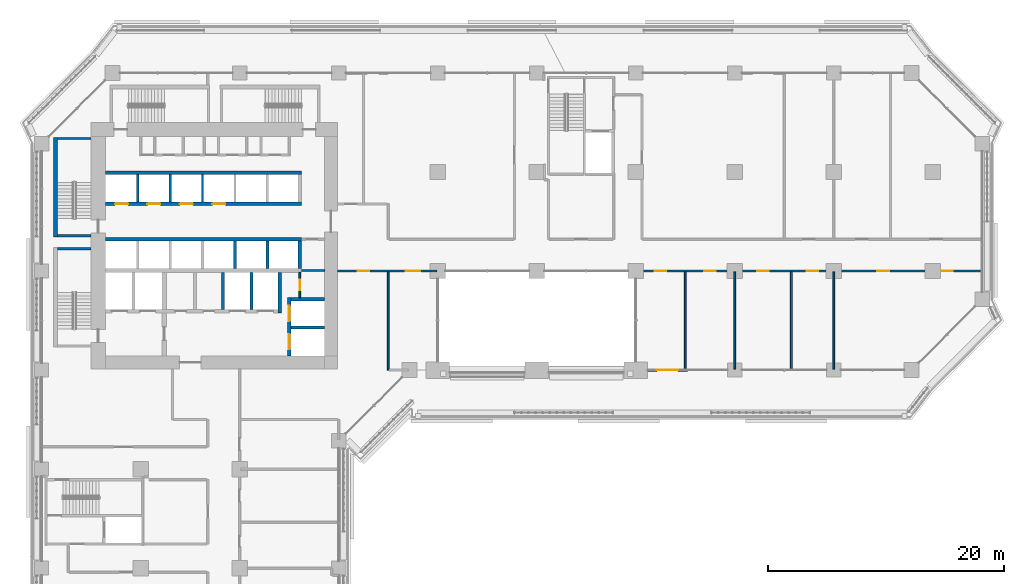
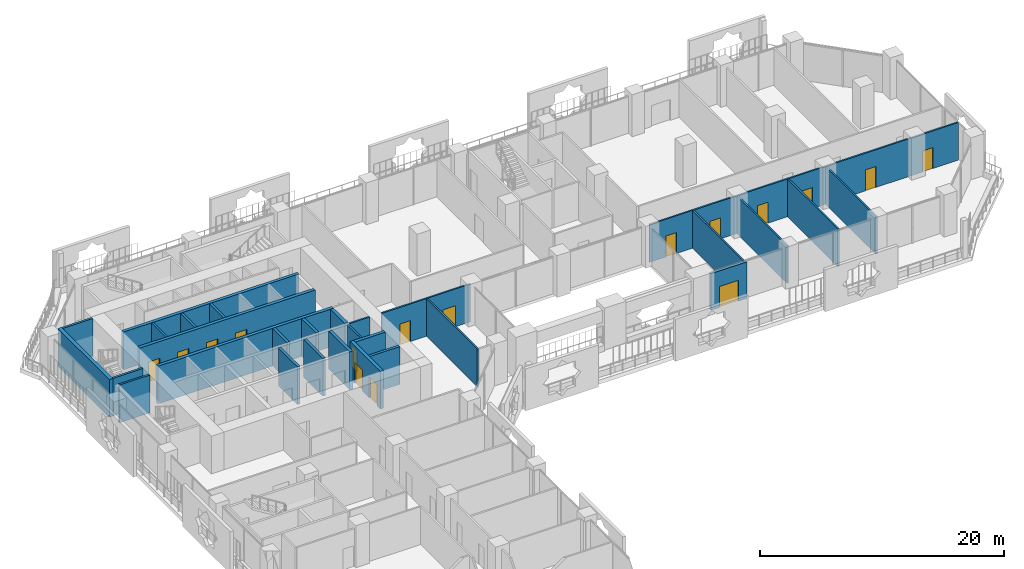
# One storey, part 15 of 28: 29 walls, 16 doors, 16 openings.
"""IFC4 building model written with IfcOpenShell, lengths in metres."""

from ifc_helpers import new_model, si_unit, direction, frame, frame_2d, origin, place, context, subcontext, project, spatial, rectangle, extrude, material, layer, layer_set, type_object, element, fill, save


model = new_model("IFC4")

# Units and contexts
model_context = context("Model", 3, precision=1e-05, world=origin(), true_north=direction((0.0, 1.0)))
body_context = subcontext(model_context, "Body", "Model", "MODEL_VIEW")
ifc_project = project(units=[si_unit("LENGTHUNIT", "METRE"), si_unit("AREAUNIT", "SQUARE_METRE"), si_unit("VOLUMEUNIT", "CUBIC_METRE"), si_unit("PLANEANGLEUNIT", "RADIAN"), si_unit("MASSUNIT", "GRAM", prefix="KILO")], contexts=[model_context])

# Site, building, storey
site_placement = place(None, origin())
site = spatial("IfcSite", under=ifc_project, at=site_placement, CompositionType="ELEMENT")
building_placement = place(site_placement, origin())
building = spatial("IfcBuilding", under=site, at=building_placement, Name="Kawkab Arch Medical Tower", CompositionType="ELEMENT")
storey_placement = place(building_placement, frame((0.0, 0.0, 47.60009765625)))
storey = spatial("IfcBuildingStorey", under=building, at=storey_placement, Name="L10", CompositionType="ELEMENT", Elevation=47.60009765625)

# Wall, opening, door
ifc_material_1 = material(Name="Gypsum board on steel studs", Category="steel")
ifc_layer_1 = layer(ifc_material_1, 0.14990234375)
ifc_layer_set_1 = layer_set([ifc_layer_1], Name="Gypsum board on steel studs")
wall_type_1 = type_object("IfcWallType", Name="Core room partition 150", PredefinedType="PARTITIONING", material=ifc_layer_set_1)
wall_1_placement = place(storey_placement, frame((21.89990234375, -19.050048828125, 0.0), z_axis=(0.0, 0.0, 1.0), x_axis=(0.0, 1.0, 0.0)))
wall_1 = element("IfcWall", 1, at=wall_1_placement, inside=storey, type_object=wall_type_1, Name="L10 core room partition", PredefinedType="PARTITIONING", context=body_context, shape_type="SweptSolid", body=[
    extrude(rectangle(XDim=2.150146484375, YDim=0.14990234375, at=frame_2d((1.0751953125, 0.0))), origin(), (0.0, 0.0, 1.0), 3.77978515625),
])
opening_1_placement = place(wall_1_placement, frame((0.625, 0.0, 0.0)))
opening_1 = element("IfcOpeningElement", 2, at=opening_1_placement, cuts=wall_1, Name="Opening RD", PredefinedType="OPENING", context=body_context, shape_type="SweptSolid", body=[
    extrude(rectangle(XDim=0.89990234375, YDim=2.10009765625, at=frame_2d((0.449951171875, 1.050048828125))), frame((0.0, 0.0849609375, 0.0), z_axis=(0.0, -1.0, 0.0), x_axis=(1.0, 0.0, 0.0)), (0.0, 0.0, 1.0), 0.169921875),
])
ifc_material_2 = material(Name="Hollow metal fire door leaf")
door_type_1 = type_object("IfcDoorType", Name="Core room door 900", OperationType="SINGLE_SWING_LEFT", PredefinedType="DOOR", material=ifc_material_2)
door_1_placement = place(opening_1_placement, origin())
door_1 = element("IfcDoor", 3, at=door_1_placement, inside=storey, type_object=door_type_1, Name="L10 Staff WC door", OperationType="SINGLE_SWING_LEFT", OverallHeight=2.10009765625, OverallWidth=0.89990234375, PredefinedType="DOOR", context=body_context, shape_type="SweptSolid", body=[
    extrude(rectangle(XDim=0.89990234375, YDim=2.10009765625, at=frame_2d((0.449951171875, 1.050048828125))), frame((0.0, 0.02490234375, 0.0), z_axis=(0.0, -1.0, 0.0), x_axis=(1.0, 0.0, 0.0)), (0.0, 0.0, 1.0), 0.050048828125),
])
fill(opening_1, door_1)

# Walls
wall_2_placement = place(storey_placement, frame((22.050048828125, -16.75, 0.0), z_axis=(0.0, 0.0, 1.0), x_axis=(1.0, 0.0, 0.0)))
element("IfcWall", 4, at=wall_2_placement, inside=storey, type_object=wall_type_1, Name="L10 core room partition", PredefinedType="PARTITIONING", context=body_context, shape_type="SweptSolid", body=[
    extrude(rectangle(XDim=1.949951171875, YDim=0.14990234375, at=frame_2d((0.97509765625, 0.0))), origin(), (0.0, 0.0, 1.0), 3.77978515625),
])
ifc_material_3 = material(Name="Concrete C60/75", Category="concrete")
ifc_layer_2 = layer(ifc_material_3, 0.25)
ifc_layer_set_2 = layer_set([ifc_layer_2], Name="Concrete C60/75")
wall_type_2 = type_object("IfcWallType", Name="Core shear wall 250 C60/75", PredefinedType="SHEAR", material=ifc_layer_set_2)
wall_3_placement = place(storey_placement, frame((21.14990234375, -21.60009765625, 0.0), z_axis=(0.0, 0.0, 1.0), x_axis=(1.0, 0.0, 0.0)))
element("IfcWall", 5, at=wall_3_placement, inside=storey, type_object=wall_type_2, Name="L10 core shear wall", PredefinedType="SHEAR", context=body_context, shape_type="SweptSolid", body=[
    extrude(rectangle(XDim=2.85009765625, YDim=0.25, at=frame_2d((1.425048828125, 0.0))), origin(), (0.0, 0.0, 1.0), 3.77978515625),
])
for number, where, z_axis, x_axis, name in (
    (6, (15.39990234375, -20.050048828125, 0.0), (0.0, 0.0, 1.0), (0.0, 1.0, 0.0), "L10 core shear wall"),
    (7, (17.800048828125, -20.050048828125, 0.0), (0.0, 0.0, 1.0), (0.0, 1.0, 0.0), "L10 core shear wall"),
):
    element("IfcWall", number, at=place(storey_placement, frame(where, z_axis=z_axis, x_axis=x_axis)), inside=storey, type_object=wall_type_2, Name=name, PredefinedType="SHEAR", context=body_context, shape_type="SweptSolid", body=[
        extrude(rectangle(XDim=3.150146484375, YDim=0.25, at=frame_2d((1.5751953125, 0.0))), origin(), (0.0, 0.0, 1.0), 3.77978515625),
    ])
for number, where, z_axis, x_axis, name in (
    (8, (16.39990234375, -16.60009765625, 0.0), (0.0, 0.0, 1.0), (0.0, 1.0, 0.0), "L10 core shear wall"),
    (9, (19.14990234375, -16.60009765625, 0.0), (0.0, 0.0, 1.0), (0.0, 1.0, 0.0), "L10 core shear wall"),
):
    element("IfcWall", number, at=place(storey_placement, frame(where, z_axis=z_axis, x_axis=x_axis)), inside=storey, type_object=wall_type_2, Name=name, PredefinedType="SHEAR", context=body_context, shape_type="SweptSolid", body=[
        extrude(rectangle(XDim=2.35009765625, YDim=0.25, at=frame_2d((1.175048828125, 0.0))), origin(), (0.0, 0.0, 1.0), 3.77978515625),
    ])
ifc_material_4 = material(Name="Concrete C60/75", Category="concrete")
ifc_layer_3 = layer(ifc_material_4, 0.300048828125)
ifc_layer_set_3 = layer_set([ifc_layer_3], Name="Concrete C60/75")
wall_type_3 = type_object("IfcWallType", Name="Core shear wall 300 C60/75", PredefinedType="SHEAR", material=ifc_layer_set_3)
wall_4_placement = place(storey_placement, frame((5.39990234375, -8.449951171875, 0.0), z_axis=(0.0, 0.0, 1.0), x_axis=(1.0, 0.0, 0.0)))
element("IfcWall", 10, at=wall_4_placement, inside=storey, type_object=wall_type_3, Name="L10 core shear wall", PredefinedType="SHEAR", context=body_context, shape_type="SweptSolid", body=[
    extrude(rectangle(XDim=16.650146484375, YDim=0.300048828125, at=frame_2d((8.3251953125, 0.0))), origin(), (0.0, 0.0, 1.0), 3.77978515625),
])

# Wall, openings, doors
wall_5_placement = place(storey_placement, frame((5.39990234375, -11.10009765625, 0.0), z_axis=(0.0, 0.0, 1.0), x_axis=(1.0, 0.0, 0.0)))
wall_5 = element("IfcWall", 11, at=wall_5_placement, inside=storey, type_object=wall_type_3, Name="L10 core shear wall", PredefinedType="SHEAR", context=body_context, shape_type="SweptSolid", body=[
    extrude(rectangle(XDim=16.650146484375, YDim=0.300048828125, at=frame_2d((8.3251953125, 0.0))), origin(), (0.0, 0.0, 1.0), 3.77978515625),
])
opening_2_placement = place(wall_5_placement, frame((0.824951171875, 0.0, 0.0)))
opening_2 = element("IfcOpeningElement", 12, at=opening_2_placement, cuts=wall_5, Name="Opening LD1", PredefinedType="OPENING", context=body_context, shape_type="SweptSolid", body=[
    extrude(rectangle(XDim=1.10009765625, YDim=2.10009765625, at=frame_2d((0.550048828125, 1.050048828125))), frame((0.0, 0.159912109375, 0.0), z_axis=(0.0, -1.0, 0.0), x_axis=(1.0, 0.0, 0.0)), (0.0, 0.0, 1.0), 0.320068359375),
])
opening_3_placement = place(wall_5_placement, frame((3.574951171875, 0.0, 0.0)))
opening_3 = element("IfcOpeningElement", 13, at=opening_3_placement, cuts=wall_5, Name="Opening LD1", PredefinedType="OPENING", context=body_context, shape_type="SweptSolid", body=[
    extrude(rectangle(XDim=1.10009765625, YDim=2.10009765625, at=frame_2d((0.550048828125, 1.050048828125))), frame((0.0, 0.159912109375, 0.0), z_axis=(0.0, -1.0, 0.0), x_axis=(1.0, 0.0, 0.0)), (0.0, 0.0, 1.0), 0.320068359375),
])
opening_4_placement = place(wall_5_placement, frame((6.324951171875, 0.0, 0.0)))
opening_4 = element("IfcOpeningElement", 14, at=opening_4_placement, cuts=wall_5, Name="Opening LD1", PredefinedType="OPENING", context=body_context, shape_type="SweptSolid", body=[
    extrude(rectangle(XDim=1.10009765625, YDim=2.10009765625, at=frame_2d((0.550048828125, 1.050048828125))), frame((0.0, 0.159912109375, 0.0), z_axis=(0.0, -1.0, 0.0), x_axis=(1.0, 0.0, 0.0)), (0.0, 0.0, 1.0), 0.320068359375),
])
opening_5_placement = place(wall_5_placement, frame((9.074951171875, 0.0, 0.0)))
opening_5 = element("IfcOpeningElement", 15, at=opening_5_placement, cuts=wall_5, Name="Opening LD1", PredefinedType="OPENING", context=body_context, shape_type="SweptSolid", body=[
    extrude(rectangle(XDim=1.10009765625, YDim=2.10009765625, at=frame_2d((0.550048828125, 1.050048828125))), frame((0.0, 0.159912109375, 0.0), z_axis=(0.0, -1.0, 0.0), x_axis=(1.0, 0.0, 0.0)), (0.0, 0.0, 1.0), 0.320068359375),
])
ifc_material_5 = material(Name="Stainless steel lift door leaf", Category="steel")
door_type_2 = type_object("IfcDoorType", Name="Lift landing door 1100", OperationType="DOUBLE_DOOR_SLIDING", PredefinedType="DOOR", material=ifc_material_5)
door_2_placement = place(opening_2_placement, origin())
door_2 = element("IfcDoor", 16, at=door_2_placement, inside=storey, type_object=door_type_2, Name="L10 Lift landing door LP1", OperationType="DOUBLE_DOOR_SLIDING", OverallHeight=2.10009765625, OverallWidth=1.10009765625, PredefinedType="DOOR", context=body_context, shape_type="SweptSolid", body=[
    extrude(rectangle(XDim=1.10009765625, YDim=2.10009765625, at=frame_2d((0.550048828125, 1.050048828125))), frame((0.0, 0.02490234375, 0.0), z_axis=(0.0, -1.0, 0.0), x_axis=(1.0, 0.0, 0.0)), (0.0, 0.0, 1.0), 0.050048828125),
])
fill(opening_2, door_2)
door_3_placement = place(opening_3_placement, origin())
door_3 = element("IfcDoor", 17, at=door_3_placement, inside=storey, type_object=door_type_2, Name="L10 Lift landing door LP2", OperationType="DOUBLE_DOOR_SLIDING", OverallHeight=2.10009765625, OverallWidth=1.10009765625, PredefinedType="DOOR", context=body_context, shape_type="SweptSolid", body=[
    extrude(rectangle(XDim=1.10009765625, YDim=2.10009765625, at=frame_2d((0.550048828125, 1.050048828125))), frame((0.0, 0.02490234375, 0.0), z_axis=(0.0, -1.0, 0.0), x_axis=(1.0, 0.0, 0.0)), (0.0, 0.0, 1.0), 0.050048828125),
])
fill(opening_3, door_3)
door_4_placement = place(opening_4_placement, origin())
door_4 = element("IfcDoor", 18, at=door_4_placement, inside=storey, type_object=door_type_2, Name="L10 Lift landing door LP3", OperationType="DOUBLE_DOOR_SLIDING", OverallHeight=2.10009765625, OverallWidth=1.10009765625, PredefinedType="DOOR", context=body_context, shape_type="SweptSolid", body=[
    extrude(rectangle(XDim=1.10009765625, YDim=2.10009765625, at=frame_2d((0.550048828125, 1.050048828125))), frame((0.0, 0.02490234375, 0.0), z_axis=(0.0, -1.0, 0.0), x_axis=(1.0, 0.0, 0.0)), (0.0, 0.0, 1.0), 0.050048828125),
])
fill(opening_4, door_4)
door_5_placement = place(opening_5_placement, origin())
door_5 = element("IfcDoor", 19, at=door_5_placement, inside=storey, type_object=door_type_2, Name="L10 Lift landing door LP4", OperationType="DOUBLE_DOOR_SLIDING", OverallHeight=2.10009765625, OverallWidth=1.10009765625, PredefinedType="DOOR", context=body_context, shape_type="SweptSolid", body=[
    extrude(rectangle(XDim=1.10009765625, YDim=2.10009765625, at=frame_2d((0.550048828125, 1.050048828125))), frame((0.0, 0.02490234375, 0.0), z_axis=(0.0, -1.0, 0.0), x_axis=(1.0, 0.0, 0.0)), (0.0, 0.0, 1.0), 0.050048828125),
])
fill(opening_5, door_5)

# Walls
wall_6_placement = place(storey_placement, frame((5.39990234375, -14.10009765625, 0.0), z_axis=(0.0, 0.0, 1.0), x_axis=(1.0, 0.0, 0.0)))
element("IfcWall", 20, at=wall_6_placement, inside=storey, type_object=wall_type_3, Name="L10 core shear wall", PredefinedType="SHEAR", context=body_context, shape_type="SweptSolid", body=[
    extrude(rectangle(XDim=16.650146484375, YDim=0.300048828125, at=frame_2d((8.3251953125, 0.0))), origin(), (0.0, 0.0, 1.0), 3.77978515625),
])
wall_7_placement = place(storey_placement, frame((20.199951171875, -20.35009765625, 0.0), z_axis=(0.0, 0.0, 1.0), x_axis=(0.0, 1.0, 0.0)))
element("IfcWall", 21, at=wall_7_placement, inside=storey, type_object=wall_type_3, Name="L10 core shear wall", PredefinedType="SHEAR", context=body_context, shape_type="SweptSolid", body=[
    extrude(rectangle(XDim=3.4501953125, YDim=0.300048828125, at=frame_2d((1.72509765625, 0.0))), origin(), (0.0, 0.0, 1.0), 3.77978515625),
])
wall_8_placement = place(storey_placement, frame((21.89990234375, -16.60009765625, 0.0), z_axis=(0.0, 0.0, 1.0), x_axis=(0.0, 1.0, 0.0)))
element("IfcWall", 22, at=wall_8_placement, inside=storey, type_object=wall_type_3, Name="L10 core shear wall", PredefinedType="SHEAR", context=body_context, shape_type="SweptSolid", body=[
    extrude(rectangle(XDim=2.35009765625, YDim=0.300048828125, at=frame_2d((1.175048828125, 0.0))), origin(), (0.0, 0.0, 1.0), 3.77978515625),
])
wall_9_placement = place(storey_placement, frame((21.14990234375, -19.199951171875, 0.0), z_axis=(0.0, 0.0, 1.0), x_axis=(1.0, 0.0, 0.0)))
element("IfcWall", 23, at=wall_9_placement, inside=storey, type_object=wall_type_3, Name="L10 core shear wall", PredefinedType="SHEAR", context=body_context, shape_type="SweptSolid", body=[
    extrude(rectangle(XDim=2.85009765625, YDim=0.300048828125, at=frame_2d((1.425048828125, 0.0))), origin(), (0.0, 0.0, 1.0), 3.77978515625),
])

# Wall, openings, doors
wall_10_placement = place(storey_placement, frame((21.0, -24.0, 0.0), z_axis=(0.0, 0.0, 1.0), x_axis=(0.0, 1.0, 0.0)))
wall_10 = element("IfcWall", 24, at=wall_10_placement, inside=storey, type_object=wall_type_3, Name="L10 core shear wall", PredefinedType="SHEAR", context=body_context, shape_type="SweptSolid", body=[
    extrude(rectangle(XDim=4.949951171875, YDim=0.300048828125, at=frame_2d((2.47509765625, 0.0))), origin(), (0.0, 0.0, 1.0), 3.77978515625),
])
opening_6_placement = place(wall_10_placement, frame((2.949951171875, 0.0, 0.0)))
opening_6 = element("IfcOpeningElement", 25, at=opening_6_placement, cuts=wall_10, Name="Opening LD2", PredefinedType="OPENING", context=body_context, shape_type="SweptSolid", body=[
    extrude(rectangle(XDim=1.300048828125, YDim=2.10009765625, at=frame_2d((0.64990234375, 1.050048828125))), frame((0.0, 0.159912109375, 0.0), z_axis=(0.0, -1.0, 0.0), x_axis=(1.0, 0.0, 0.0)), (0.0, 0.0, 1.0), 0.320068359375),
])
opening_7_placement = place(wall_10_placement, frame((0.550048828125, 0.0, 0.0)))
opening_7 = element("IfcOpeningElement", 26, at=opening_7_placement, cuts=wall_10, Name="Opening LD2", PredefinedType="OPENING", context=body_context, shape_type="SweptSolid", body=[
    extrude(rectangle(XDim=1.300048828125, YDim=2.10009765625, at=frame_2d((0.64990234375, 1.050048828125))), frame((0.0, 0.159912109375, 0.0), z_axis=(0.0, -1.0, 0.0), x_axis=(1.0, 0.0, 0.0)), (0.0, 0.0, 1.0), 0.320068359375),
])
ifc_material_6 = material(Name="Stainless steel lift door leaf", Category="steel")
door_type_3 = type_object("IfcDoorType", Name="Lift landing door 1300", OperationType="DOUBLE_DOOR_SLIDING", PredefinedType="DOOR", material=ifc_material_6)
door_6_placement = place(opening_6_placement, origin())
door_6 = element("IfcDoor", 27, at=door_6_placement, inside=storey, type_object=door_type_3, Name="L10 Lift landing door BD1", OperationType="DOUBLE_DOOR_SLIDING", OverallHeight=2.10009765625, OverallWidth=1.300048828125, PredefinedType="DOOR", context=body_context, shape_type="SweptSolid", body=[
    extrude(rectangle(XDim=1.300048828125, YDim=2.10009765625, at=frame_2d((0.64990234375, 1.050048828125))), frame((0.0, 0.02490234375, 0.0), z_axis=(0.0, -1.0, 0.0), x_axis=(1.0, 0.0, 0.0)), (0.0, 0.0, 1.0), 0.050048828125),
])
fill(opening_6, door_6)
door_7_placement = place(opening_7_placement, origin())
door_7 = element("IfcDoor", 28, at=door_7_placement, inside=storey, type_object=door_type_3, Name="L10 Lift landing door BD2", OperationType="DOUBLE_DOOR_SLIDING", OverallHeight=2.10009765625, OverallWidth=1.300048828125, PredefinedType="DOOR", context=body_context, shape_type="SweptSolid", body=[
    extrude(rectangle(XDim=1.300048828125, YDim=2.10009765625, at=frame_2d((0.64990234375, 1.050048828125))), frame((0.0, 0.02490234375, 0.0), z_axis=(0.0, -1.0, 0.0), x_axis=(1.0, 0.0, 0.0)), (0.0, 0.0, 1.0), 0.050048828125),
])
fill(opening_7, door_7)

# Wall, opening, door
ifc_material_7 = material(Name="Bronze clad insulated wall panel")
ifc_layer_4 = layer(ifc_material_7, 0.25)
ifc_layer_set_4 = layer_set([ifc_layer_4], Name="Bronze clad insulated wall panel")
wall_type_4 = type_object("IfcWallType", Name="External wall bay 250", PredefinedType="SOLIDWALL", material=ifc_layer_set_4)
wall_11_placement = place(storey_placement, frame((51.39990234375, -25.199951171875, 0.0), z_axis=(0.0, 0.0, 1.0), x_axis=(1.0, 0.0, 0.0)))
wall_11 = element("IfcWall", 29, at=wall_11_placement, inside=storey, type_object=wall_type_4, Name="External wall bay L10.R05.1.1", PredefinedType="SOLIDWALL", context=body_context, shape_type="SweptSolid", body=[
    extrude(rectangle(XDim=3.400146484375, YDim=0.25, at=frame_2d((1.7001953125, 0.0))), origin(), (0.0, 0.0, 1.0), 3.659912109375),
])
opening_8_placement = place(wall_11_placement, frame((0.800048828125, 0.0, 0.0)))
opening_8 = element("IfcOpeningElement", 30, at=opening_8_placement, cuts=wall_11, Name="Opening B10-701", PredefinedType="OPENING", context=body_context, shape_type="SweptSolid", body=[
    extrude(rectangle(XDim=1.800048828125, YDim=2.10009765625, at=frame_2d((0.89990234375, 1.050048828125))), frame((0.0, 0.135009765625, 0.0), z_axis=(0.0, -1.0, 0.0), x_axis=(1.0, 0.0, 0.0)), (0.0, 0.0, 1.0), 0.27001953125),
])
ifc_material_8 = material(Name="Bronze anodised aluminium door with tinted glass", Category="aluminium")
door_type_4 = type_object("IfcDoorType", Name="Double external door 1800 x 2100", OperationType="DOUBLE_DOOR_SINGLE_SWING", PredefinedType="DOOR", material=ifc_material_8)
door_8_placement = place(opening_8_placement, origin())
door_8 = element("IfcDoor", 31, at=door_8_placement, inside=storey, type_object=door_type_4, Name="External door L10.R05.1.1", OperationType="DOUBLE_DOOR_SINGLE_SWING", OverallHeight=2.10009765625, OverallWidth=1.800048828125, PredefinedType="DOOR", context=body_context, shape_type="SweptSolid", body=[
    extrude(rectangle(XDim=1.800048828125, YDim=2.10009765625, at=frame_2d((0.89990234375, 1.050048828125))), frame((0.0, 0.02490234375, 0.0), z_axis=(0.0, -1.0, 0.0), x_axis=(1.0, 0.0, 0.0)), (0.0, 0.0, 1.0), 0.050048828125),
])
fill(opening_8, door_8)

# Walls
ifc_material_9 = material(Name="Dense concrete blockwork", Category="masonry")
ifc_layer_5 = layer(ifc_material_9, 0.199951171875)
ifc_layer_set_5 = layer_set([ifc_layer_5], Name="Dense concrete blockwork")
wall_type_5 = type_object("IfcWallType", Name="Lift shaft partition 200", PredefinedType="PARTITIONING", material=ifc_layer_set_5)
for number, where, z_axis, x_axis, name in (
    (32, (8.14990234375, -10.949951171875, 0.0), (0.0, 0.0, 1.0), (0.0, 1.0, 0.0), "L10 lift shaft partition"),
    (33, (10.89990234375, -10.949951171875, 0.0), (0.0, 0.0, 1.0), (0.0, 1.0, 0.0), "L10 lift shaft partition"),
    (34, (13.64990234375, -10.949951171875, 0.0), (0.0, 0.0, 1.0), (0.0, 1.0, 0.0), "L10 lift shaft partition"),
):
    element("IfcWall", number, at=place(storey_placement, frame(where, z_axis=z_axis, x_axis=x_axis)), inside=storey, type_object=wall_type_5, Name=name, PredefinedType="PARTITIONING", context=body_context, shape_type="SweptSolid", body=[
        extrude(rectangle(XDim=2.349853515625, YDim=0.199951171875, at=frame_2d((1.1748046875, 0.0))), origin(), (0.0, 0.0, 1.0), 3.77978515625),
    ])

# Wall, openings, doors
ifc_material_10 = material(Name="Gypsum board partition on steel studs, mineral wool", Category="steel")
ifc_layer_6 = layer(ifc_material_10, 0.14990234375)
ifc_layer_set_6 = layer_set([ifc_layer_6], Name="Gypsum board partition on steel studs, mineral wool")
wall_type_6 = type_object("IfcWallType", Name="Partition 150", PredefinedType="PARTITIONING", material=ifc_layer_set_6)
wall_12_placement = place(storey_placement, frame((25.10009765625, -16.800048828125, 0.0), z_axis=(0.0, 0.0, 1.0), x_axis=(1.0, 0.0, 0.0)))
wall_12 = element("IfcWall", 35, at=wall_12_placement, inside=storey, type_object=wall_type_6, Name="Partition 150 w025", PredefinedType="PARTITIONING", context=body_context, shape_type="SweptSolid", body=[
    extrude(rectangle(XDim=8.419921875, YDim=0.14990234375, at=frame_2d((4.2099609375, 0.0))), origin(), (0.0, 0.0, 1.0), 3.77978515625),
])
opening_9_placement = place(wall_12_placement, frame((1.699951171875, 0.0, 0.0)))
opening_9 = element("IfcOpeningElement", 36, at=opening_9_placement, cuts=wall_12, Name="Opening B10-011", PredefinedType="OPENING", context=body_context, shape_type="SweptSolid", body=[
    extrude(rectangle(XDim=1.0, YDim=2.10009765625, at=frame_2d((0.5, 1.050048828125))), frame((0.0, 0.0849609375, 0.0), z_axis=(0.0, -1.0, 0.0), x_axis=(1.0, 0.0, 0.0)), (0.0, 0.0, 1.0), 0.169921875),
])
opening_10_placement = place(wall_12_placement, frame((5.800048828125, 0.0, 0.0)))
opening_10 = element("IfcOpeningElement", 37, at=opening_10_placement, cuts=wall_12, Name="Opening B10-031", PredefinedType="OPENING", context=body_context, shape_type="SweptSolid", body=[
    extrude(rectangle(XDim=1.199951171875, YDim=2.10009765625, at=frame_2d((0.60009765625, 1.050048828125))), frame((0.0, 0.0849609375, 0.0), z_axis=(0.0, -1.0, 0.0), x_axis=(1.0, 0.0, 0.0)), (0.0, 0.0, 1.0), 0.169921875),
])
ifc_material_11 = material(Name="Hollow metal door leaf")
door_type_5 = type_object("IfcDoorType", Name="Single door 1000x2100 FD30S", OperationType="NOTDEFINED", PredefinedType="DOOR", material=ifc_material_11)
door_9_placement = place(opening_9_placement, origin())
door_9 = element("IfcDoor", 38, at=door_9_placement, inside=storey, type_object=door_type_5, Name="Door B10-011", OperationType="SINGLE_SWING_RIGHT", OverallHeight=2.10009765625, OverallWidth=1.0, PredefinedType="DOOR", context=body_context, shape_type="SweptSolid", body=[
    extrude(rectangle(XDim=1.0, YDim=2.10009765625, at=frame_2d((0.5, 1.050048828125))), frame((0.0, 0.02490234375, 0.0), z_axis=(0.0, -1.0, 0.0), x_axis=(1.0, 0.0, 0.0)), (0.0, 0.0, 1.0), 0.050048828125),
])
fill(opening_9, door_9)
ifc_material_12 = material(Name="Hollow metal door leaf")
door_type_6 = type_object("IfcDoorType", Name="Single door 1200x2100 FD30S", OperationType="NOTDEFINED", PredefinedType="DOOR", material=ifc_material_12)
door_10_placement = place(opening_10_placement, origin())
door_10 = element("IfcDoor", 39, at=door_10_placement, inside=storey, type_object=door_type_6, Name="Door B10-031", OperationType="SINGLE_SWING_LEFT", OverallHeight=2.10009765625, OverallWidth=1.199951171875, PredefinedType="DOOR", context=body_context, shape_type="SweptSolid", body=[
    extrude(rectangle(XDim=1.199951171875, YDim=2.10009765625, at=frame_2d((0.60009765625, 1.050048828125))), frame((0.0, 0.02490234375, 0.0), z_axis=(0.0, -1.0, 0.0), x_axis=(1.0, 0.0, 0.0)), (0.0, 0.0, 1.0), 0.050048828125),
])
fill(opening_10, door_10)

wall_13_placement = place(storey_placement, frame((50.47998046875, -16.800048828125, 0.0), z_axis=(0.0, 0.0, 1.0), x_axis=(1.0, 0.0, 0.0)))
wall_13 = element("IfcWall", 40, at=wall_13_placement, inside=storey, type_object=wall_type_6, Name="Partition 150 w026", PredefinedType="PARTITIONING", context=body_context, shape_type="SweptSolid", body=[
    extrude(rectangle(XDim=29.239990234375, YDim=0.14990234375, at=frame_2d((14.6201171875, 0.0))), origin(), (0.0, 0.0, 1.0), 3.77978515625),
])
opening_11_placement = place(wall_13_placement, frame((1.52001953125, 0.0, 0.0)))
opening_11 = element("IfcOpeningElement", 41, at=opening_11_placement, cuts=wall_13, Name="Opening B10-016", PredefinedType="OPENING", context=body_context, shape_type="SweptSolid", body=[
    extrude(rectangle(XDim=1.0, YDim=2.10009765625, at=frame_2d((0.5, 1.050048828125))), frame((0.0, 0.0849609375, 0.0), z_axis=(0.0, -1.0, 0.0), x_axis=(1.0, 0.0, 0.0)), (0.0, 0.0, 1.0), 0.169921875),
])
opening_12_placement = place(wall_13_placement, frame((5.719970703125, 0.0, 0.0)))
opening_12 = element("IfcOpeningElement", 42, at=opening_12_placement, cuts=wall_13, Name="Opening B10-017", PredefinedType="OPENING", context=body_context, shape_type="SweptSolid", body=[
    extrude(rectangle(XDim=1.0, YDim=2.10009765625, at=frame_2d((0.5, 1.050048828125))), frame((0.0, 0.0849609375, 0.0), z_axis=(0.0, -1.0, 0.0), x_axis=(1.0, 0.0, 0.0)), (0.0, 0.0, 1.0), 0.169921875),
])
opening_13_placement = place(wall_13_placement, frame((10.219970703125, 0.0, 0.0)))
opening_13 = element("IfcOpeningElement", 43, at=opening_13_placement, cuts=wall_13, Name="Opening B10-018", PredefinedType="OPENING", context=body_context, shape_type="SweptSolid", body=[
    extrude(rectangle(XDim=1.0, YDim=2.10009765625, at=frame_2d((0.5, 1.050048828125))), frame((0.0, 0.0849609375, 0.0), z_axis=(0.0, -1.0, 0.0), x_axis=(1.0, 0.0, 0.0)), (0.0, 0.0, 1.0), 0.169921875),
])
opening_14_placement = place(wall_13_placement, frame((14.419921875, 0.0, 0.0)))
opening_14 = element("IfcOpeningElement", 44, at=opening_14_placement, cuts=wall_13, Name="Opening B10-019", PredefinedType="OPENING", context=body_context, shape_type="SweptSolid", body=[
    extrude(rectangle(XDim=1.0, YDim=2.10009765625, at=frame_2d((0.5, 1.050048828125))), frame((0.0, 0.0849609375, 0.0), z_axis=(0.0, -1.0, 0.0), x_axis=(1.0, 0.0, 0.0)), (0.0, 0.0, 1.0), 0.169921875),
])
opening_15_placement = place(wall_13_placement, frame((25.820068359375, 0.0, 0.0)))
opening_15 = element("IfcOpeningElement", 45, at=opening_15_placement, cuts=wall_13, Name="Opening B10-020", PredefinedType="OPENING", context=body_context, shape_type="SweptSolid", body=[
    extrude(rectangle(XDim=1.0, YDim=2.10009765625, at=frame_2d((0.5, 1.050048828125))), frame((0.0, 0.0849609375, 0.0), z_axis=(0.0, -1.0, 0.0), x_axis=(1.0, 0.0, 0.0)), (0.0, 0.0, 1.0), 0.169921875),
])
opening_16_placement = place(wall_13_placement, frame((20.419921875, 0.0, 0.0)))
opening_16 = element("IfcOpeningElement", 46, at=opening_16_placement, cuts=wall_13, Name="Opening B10-021", PredefinedType="OPENING", context=body_context, shape_type="SweptSolid", body=[
    extrude(rectangle(XDim=1.0, YDim=2.10009765625, at=frame_2d((0.5, 1.050048828125))), frame((0.0, 0.0849609375, 0.0), z_axis=(0.0, -1.0, 0.0), x_axis=(1.0, 0.0, 0.0)), (0.0, 0.0, 1.0), 0.169921875),
])
door_11_placement = place(opening_11_placement, origin())
door_11 = element("IfcDoor", 47, at=door_11_placement, inside=storey, type_object=door_type_5, Name="Door B10-016", OperationType="SINGLE_SWING_RIGHT", OverallHeight=2.10009765625, OverallWidth=1.0, PredefinedType="DOOR", context=body_context, shape_type="SweptSolid", body=[
    extrude(rectangle(XDim=1.0, YDim=2.10009765625, at=frame_2d((0.5, 1.050048828125))), frame((0.0, 0.02490234375, 0.0), z_axis=(0.0, -1.0, 0.0), x_axis=(1.0, 0.0, 0.0)), (0.0, 0.0, 1.0), 0.050048828125),
])
fill(opening_11, door_11)
door_12_placement = place(opening_12_placement, origin())
door_12 = element("IfcDoor", 48, at=door_12_placement, inside=storey, type_object=door_type_5, Name="Door B10-017", OperationType="SINGLE_SWING_RIGHT", OverallHeight=2.10009765625, OverallWidth=1.0, PredefinedType="DOOR", context=body_context, shape_type="SweptSolid", body=[
    extrude(rectangle(XDim=1.0, YDim=2.10009765625, at=frame_2d((0.5, 1.050048828125))), frame((0.0, 0.02490234375, 0.0), z_axis=(0.0, -1.0, 0.0), x_axis=(1.0, 0.0, 0.0)), (0.0, 0.0, 1.0), 0.050048828125),
])
fill(opening_12, door_12)
door_13_placement = place(opening_13_placement, origin())
door_13 = element("IfcDoor", 49, at=door_13_placement, inside=storey, type_object=door_type_5, Name="Door B10-018", OperationType="SINGLE_SWING_RIGHT", OverallHeight=2.10009765625, OverallWidth=1.0, PredefinedType="DOOR", context=body_context, shape_type="SweptSolid", body=[
    extrude(rectangle(XDim=1.0, YDim=2.10009765625, at=frame_2d((0.5, 1.050048828125))), frame((0.0, 0.02490234375, 0.0), z_axis=(0.0, -1.0, 0.0), x_axis=(1.0, 0.0, 0.0)), (0.0, 0.0, 1.0), 0.050048828125),
])
fill(opening_13, door_13)
door_14_placement = place(opening_14_placement, origin())
door_14 = element("IfcDoor", 50, at=door_14_placement, inside=storey, type_object=door_type_5, Name="Door B10-019", OperationType="SINGLE_SWING_LEFT", OverallHeight=2.10009765625, OverallWidth=1.0, PredefinedType="DOOR", context=body_context, shape_type="SweptSolid", body=[
    extrude(rectangle(XDim=1.0, YDim=2.10009765625, at=frame_2d((0.5, 1.050048828125))), frame((0.0, 0.02490234375, 0.0), z_axis=(0.0, -1.0, 0.0), x_axis=(1.0, 0.0, 0.0)), (0.0, 0.0, 1.0), 0.050048828125),
])
fill(opening_14, door_14)
door_15_placement = place(opening_15_placement, origin())
door_15 = element("IfcDoor", 51, at=door_15_placement, inside=storey, type_object=door_type_5, Name="Door B10-020", OperationType="SINGLE_SWING_LEFT", OverallHeight=2.10009765625, OverallWidth=1.0, PredefinedType="DOOR", context=body_context, shape_type="SweptSolid", body=[
    extrude(rectangle(XDim=1.0, YDim=2.10009765625, at=frame_2d((0.5, 1.050048828125))), frame((0.0, 0.02490234375, 0.0), z_axis=(0.0, -1.0, 0.0), x_axis=(1.0, 0.0, 0.0)), (0.0, 0.0, 1.0), 0.050048828125),
])
fill(opening_15, door_15)
door_16_placement = place(opening_16_placement, origin())
door_16 = element("IfcDoor", 52, at=door_16_placement, inside=storey, type_object=door_type_5, Name="Door B10-021", OperationType="SINGLE_SWING_LEFT", OverallHeight=2.10009765625, OverallWidth=1.0, PredefinedType="DOOR", context=body_context, shape_type="SweptSolid", body=[
    extrude(rectangle(XDim=1.0, YDim=2.10009765625, at=frame_2d((0.5, 1.050048828125))), frame((0.0, 0.02490234375, 0.0), z_axis=(0.0, -1.0, 0.0), x_axis=(1.0, 0.0, 0.0)), (0.0, 0.0, 1.0), 0.050048828125),
])
fill(opening_16, door_16)

# Walls
wall_14_placement = place(storey_placement, frame((29.39990234375, -25.199951171875, 0.0), z_axis=(0.0, 0.0, 1.0), x_axis=(0.0, 1.0, 0.0)))
element("IfcWall", 53, at=wall_14_placement, inside=storey, type_object=wall_type_6, Name="Partition 150 w049", PredefinedType="PARTITIONING", context=body_context, shape_type="SweptSolid", body=[
    extrude(rectangle(XDim=8.324951171875, YDim=0.14990234375, at=frame_2d((4.16259765625, 0.0))), origin(), (0.0, 0.0, 1.0), 3.77978515625),
])
for number, where, z_axis, x_axis, name in (
    (54, (54.60009765625, -25.1201171875, 0.0), (0.0, 0.0, 1.0), (0.0, 1.0, 0.0), "Partition 150 w057"),
    (55, (58.800048828125, -25.1201171875, 0.0), (0.0, 0.0, 1.0), (0.0, 1.0, 0.0), "Partition 150 w058"),
    (56, (63.60009765625, -25.1201171875, 0.0), (0.0, 0.0, 1.0), (0.0, 1.0, 0.0), "Partition 150 w060"),
    (57, (67.199951171875, -25.1201171875, 0.0), (0.0, 0.0, 1.0), (0.0, 1.0, 0.0), "Partition 150 w061"),
):
    element("IfcWall", number, at=place(storey_placement, frame(where, z_axis=z_axis, x_axis=x_axis)), inside=storey, type_object=wall_type_6, Name=name, PredefinedType="PARTITIONING", context=body_context, shape_type="SweptSolid", body=[
        extrude(rectangle(XDim=8.2451171875, YDim=0.14990234375, at=frame_2d((4.12255859375, 0.0))), origin(), (0.0, 0.0, 1.0), 3.77978515625),
    ])
ifc_material_13 = material(Name="Concrete C50/60", Category="concrete")
ifc_layer_7 = layer(ifc_material_13, 0.199951171875)
ifc_layer_set_7 = layer_set([ifc_layer_7], Name="Concrete C50/60")
wall_type_7 = type_object("IfcWallType", Name="Stair enclosure wall 200 C50/60", PredefinedType="SHEAR", material=ifc_layer_set_7)
for number, where, z_axis, x_axis, name in (
    (58, (1.35009765625, -5.550048828125, 0.0), (0.0, 0.0, 1.0), (1.0, 0.0, 0.0), "L10 stair enclosure wall"),
    (59, (1.35009765625, -13.800048828125, 0.0), (0.0, 0.0, 1.0), (1.0, 0.0, 0.0), "L10 stair enclosure wall"),
    (60, (1.35009765625, -14.89990234375, 0.0), (0.0, 0.0, 1.0), (1.0, 0.0, 0.0), "L10 stair enclosure wall"),
):
    element("IfcWall", number, at=place(storey_placement, frame(where, z_axis=z_axis, x_axis=x_axis)), inside=storey, type_object=wall_type_7, Name=name, PredefinedType="SHEAR", context=body_context, shape_type="SweptSolid", body=[
        extrude(rectangle(XDim=2.849853515625, YDim=0.199951171875, at=frame_2d((1.4248046875, 0.0))), origin(), (0.0, 0.0, 1.0), 3.77978515625),
    ])
ifc_material_14 = material(Name="Concrete C50/60", Category="concrete")
ifc_layer_8 = layer(ifc_material_14, 0.35009765625)
ifc_layer_set_8 = layer_set([ifc_layer_8], Name="Concrete C50/60")
wall_type_8 = type_object("IfcWallType", Name="Stair enclosure wall 350 C50/60", PredefinedType="SHEAR", material=ifc_layer_set_8)
wall_15_placement = place(storey_placement, frame((1.175048828125, -13.89990234375, 0.0), z_axis=(0.0, 0.0, 1.0), x_axis=(0.0, 1.0, 0.0)))
element("IfcWall", 61, at=wall_15_placement, inside=storey, type_object=wall_type_8, Name="L10 stair enclosure wall", PredefinedType="SHEAR", context=body_context, shape_type="SweptSolid", body=[
    extrude(rectangle(XDim=8.449951171875, YDim=0.35009765625, at=frame_2d((4.22509765625, 0.0))), origin(), (0.0, 0.0, 1.0), 3.77978515625),
])

save(model, "model.ifc")
